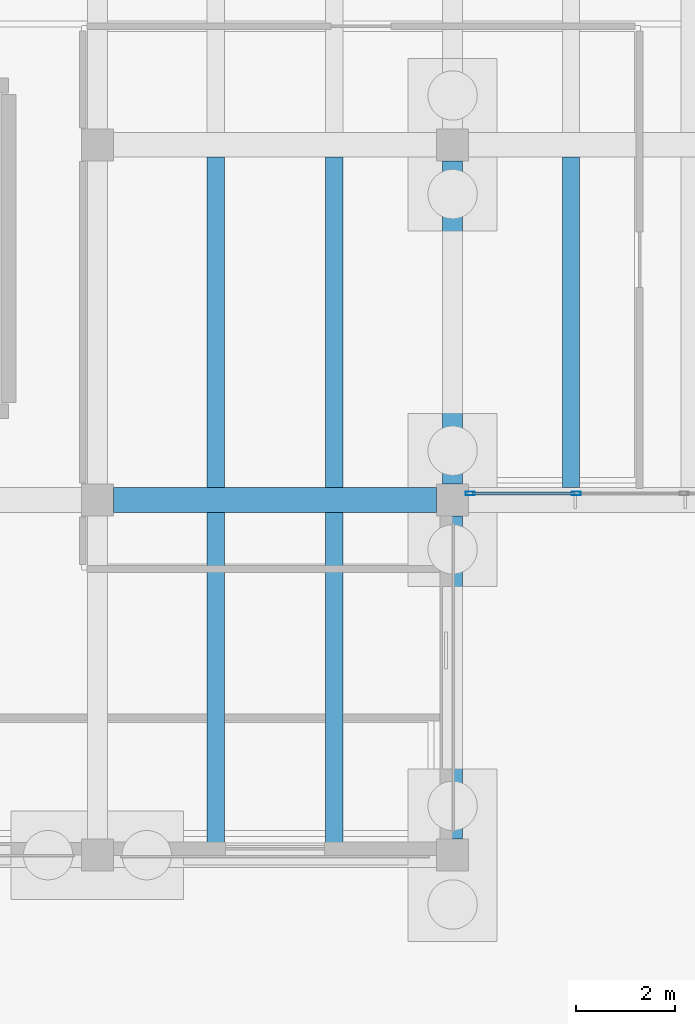
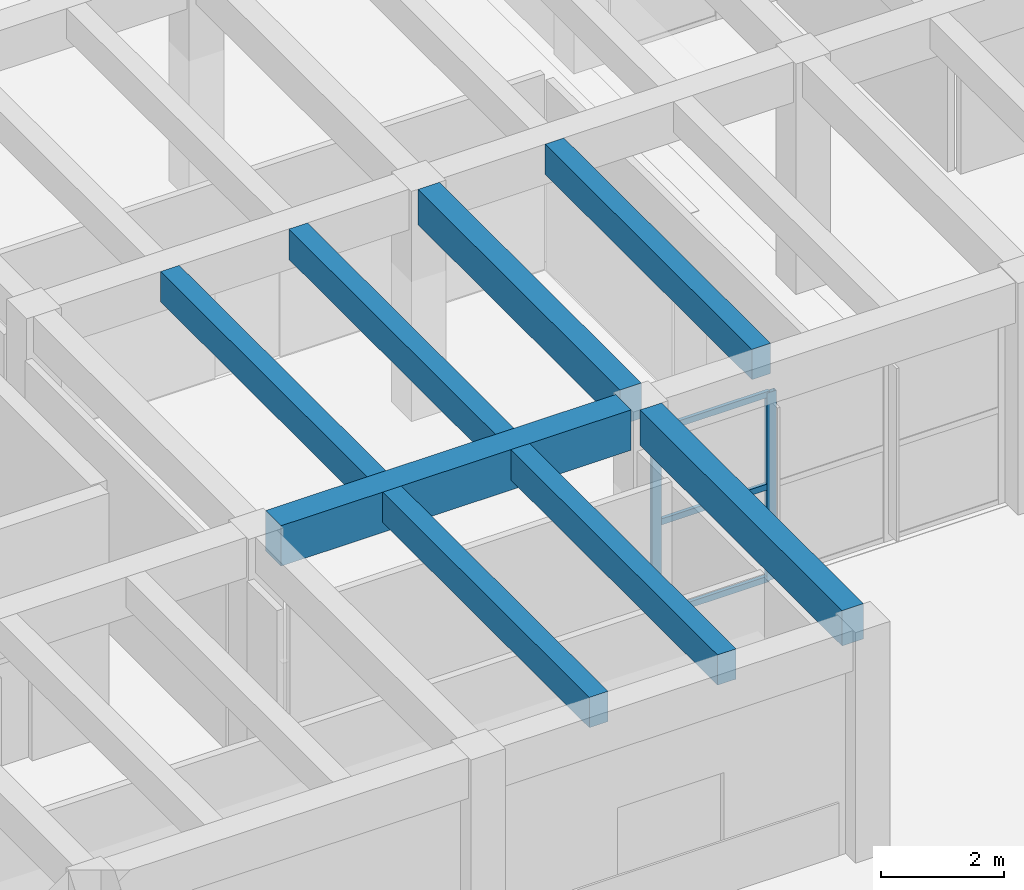
# One storey, part 67 of 155: 8 beams, 5 members, 1 element without a shape of its own.
"""IFC4 building model written with IfcOpenShell, lengths in metres."""

from ifc_helpers import new_model, si_unit, direction, frame, origin, origin_2d, place, context, subcontext, project, spatial, rectangle, hollow_rectangle, extrude, material, material_profile, profile_set, type_object, element, aggregate, save


model = new_model("IFC4")

# Units and contexts
model_context = context("Model", 3, precision=1e-05, world=origin(), true_north=direction((0.0, 1.0)))
body_context = subcontext(model_context, "Body", "Model", "MODEL_VIEW")
ifc_project = project(units=[si_unit("LENGTHUNIT", "METRE"), si_unit("AREAUNIT", "SQUARE_METRE"), si_unit("VOLUMEUNIT", "CUBIC_METRE"), si_unit("PLANEANGLEUNIT", "RADIAN"), si_unit("MASSUNIT", "GRAM", prefix="KILO")], contexts=[model_context])

# Site, building, storey
site_placement = place(None, origin())
site = spatial("IfcSite", under=ifc_project, at=site_placement, CompositionType="ELEMENT")
building_placement = place(site_placement, origin())
building = spatial("IfcBuilding", under=site, at=building_placement, Name="Bramvelor Terrace Health Centre", CompositionType="ELEMENT")
storey_placement = place(building_placement, origin())
storey = spatial("IfcBuildingStorey", under=building, at=storey_placement, Name="L01", CompositionType="ELEMENT", Elevation=0.0)

# Beams
ifc_material_1 = material(Name="Concrete C40/50", Category="concrete")
ifc_material_profile_1 = material_profile(ifc_material_1, rectangle(XDim=0.39990234375, YDim=0.699951171875, at=origin_2d()), Name="RC 400x700")
ifc_profile_set_1 = profile_set([ifc_material_profile_1], Name="Concrete C40/50")
beam_type_1 = type_object("IfcBeamType", Name="BM-RC-G700", PredefinedType="BEAM", material=ifc_profile_set_1)
beam_1_placement = place(storey_placement, frame((36.0, 79.52490234375, 4.2099609375), z_axis=(0.0, 1.0, 0.0), x_axis=(-1.0, 0.0, 0.0)))
element("IfcBeam", 1, at=beam_1_placement, inside=storey, type_object=beam_type_1, Name="L01 Floor Girder", PredefinedType="BEAM", context=body_context, shape_type="SweptSolid", body=[
    extrude(rectangle(XDim=0.39990234375, YDim=0.699951171875, at=origin_2d()), origin(), (0.0, 0.0, 1.0), 6.550048828125),
])
beam_2_placement = place(storey_placement, frame((36.0, 86.72509765625, 4.2099609375), z_axis=(0.0, 1.0, 0.0), x_axis=(-1.0, 0.0, 0.0)))
element("IfcBeam", 2, at=beam_2_placement, inside=storey, type_object=beam_type_1, Name="L01 Floor Girder", PredefinedType="BEAM", context=body_context, shape_type="SweptSolid", body=[
    extrude(rectangle(XDim=0.39990234375, YDim=0.699951171875, at=origin_2d()), origin(), (0.0, 0.0, 1.0), 6.5498046875),
])
ifc_material_2 = material(Name="Concrete C40/50", Category="concrete")
ifc_material_profile_2 = material_profile(ifc_material_2, rectangle(XDim=0.5, YDim=0.800048828125, at=origin_2d()), Name="RC 500x800")
ifc_profile_set_2 = profile_set([ifc_material_profile_2], Name="Concrete C40/50")
beam_type_2 = type_object("IfcBeamType", Name="BM-RC-G800", PredefinedType="BEAM", material=ifc_profile_set_2)
beam_3_placement = place(storey_placement, frame((29.125, 86.39990234375, 4.159912109375), z_axis=(1.0, 0.0, 0.0), x_axis=(0.0, 1.0, 0.0)))
element("IfcBeam", 3, at=beam_3_placement, inside=storey, type_object=beam_type_2, Name="L01 Floor Girder", PredefinedType="BEAM", context=body_context, shape_type="SweptSolid", body=[
    extrude(rectangle(XDim=0.5, YDim=0.800048828125, at=origin_2d()), origin(), (0.0, 0.0, 1.0), 6.550048828125),
])
ifc_material_3 = material(Name="Concrete C40/50", Category="concrete")
ifc_material_profile_3 = material_profile(ifc_material_3, rectangle(XDim=0.35009765625, YDim=0.60009765625, at=origin_2d()), Name="RC 350x600")
ifc_profile_set_3 = profile_set([ifc_material_profile_3], Name="Concrete C40/50")
beam_type_3 = type_object("IfcBeamType", Name="BM-RC-J600", PredefinedType="JOIST", material=ifc_profile_set_3)
for number, where, z_axis, x_axis, name in (
    (4, (31.199951171875, 79.449951171875, 4.260009765625), (0.0, 1.0, 0.0), (-1.0, 0.0, 0.0), "L01 Secondary Floor Joist"),
    (5, (33.60009765625, 79.449951171875, 4.260009765625), (0.0, 1.0, 0.0), (-1.0, 0.0, 0.0), "L01 Secondary Floor Joist"),
):
    element("IfcBeam", number, at=place(storey_placement, frame(where, z_axis=z_axis, x_axis=x_axis)), inside=storey, type_object=beam_type_3, Name=name, PredefinedType="JOIST", context=body_context, shape_type="SweptSolid", body=[
        extrude(rectangle(XDim=0.35009765625, YDim=0.60009765625, at=origin_2d()), origin(), (0.0, 0.0, 1.0), 6.699951171875),
    ])
for number, where, z_axis, x_axis, name in (
    (6, (31.199951171875, 86.64990234375, 4.260009765625), (0.0, 1.0, 0.0), (-1.0, 0.0, 0.0), "L01 Secondary Floor Joist"),
    (7, (33.60009765625, 86.64990234375, 4.260009765625), (0.0, 1.0, 0.0), (-1.0, 0.0, 0.0), "L01 Secondary Floor Joist"),
    (8, (38.39990234375, 86.64990234375, 4.260009765625), (0.0, 1.0, 0.0), (-1.0, 0.0, 0.0), "L01 Secondary Floor Joist"),
):
    element("IfcBeam", number, at=place(storey_placement, frame(where, z_axis=z_axis, x_axis=x_axis)), inside=storey, type_object=beam_type_3, Name=name, PredefinedType="JOIST", context=body_context, shape_type="SweptSolid", body=[
        extrude(rectangle(XDim=0.35009765625, YDim=0.60009765625, at=origin_2d()), origin(), (0.0, 0.0, 1.0), 6.7001953125),
    ])

# Curtain wall, members
ifc_material_4 = material(Name="Anodized aluminium and double low-E glass", Category="aluminium")
curtain_wall_type = type_object("IfcCurtainWallType", Name="CW-SYS-02", PredefinedType="NOTDEFINED", material=ifc_material_4)
curtain_wall_placement = place(storey_placement, origin())
curtain_wall = element("IfcCurtainWall", 9, at=curtain_wall_placement, inside=storey, type_object=curtain_wall_type, Name="L01 Unitized Curtain Wall 12", PredefinedType="NOTDEFINED")
ifc_material_5 = material(Name="Anodized aluminium 6063-T6", Category="aluminium")
ifc_material_profile_4 = material_profile(ifc_material_5, hollow_rectangle(XDim=0.074951171875, YDim=0.179931640625, WallThickness=0.00341796875, at=origin_2d()), Name="ALU-MUL 75x180x3.5")
ifc_profile_set_4 = profile_set([ifc_material_profile_4], Name="Anodized aluminium 6063-T6")
member_type_1 = type_object("IfcMemberType", Name="CW-MUL-65x180", PredefinedType="MULLION", material=ifc_profile_set_4)
member_1_placement = place(storey_placement, frame((38.506591796875, 86.530029296875, 0.0), z_axis=(0.0, 0.0, 1.0), x_axis=(0.0, -1.0, 0.0)))
member_1 = element("IfcMember", 10, at=member_1_placement, type_object=member_type_1, Name="CW-02 mullion 3", PredefinedType="MULLION", context=body_context, shape_type="SweptSolid", body=[
    extrude(hollow_rectangle(XDim=0.074951171875, YDim=0.179931640625, WallThickness=0.00341796875, at=origin_2d()), origin(), (0.0, 0.0, 1.0), 3.719970703125),
])
member_2_placement = place(storey_placement, frame((36.357421875, 86.530029296875, 0.0), z_axis=(0.0, 0.0, 1.0), x_axis=(0.0, -1.0, 0.0)))
member_2 = element("IfcMember", 11, at=member_2_placement, type_object=member_type_1, Name="CW-02 mullion 4", PredefinedType="MULLION", context=body_context, shape_type="SweptSolid", body=[
    extrude(hollow_rectangle(XDim=0.074951171875, YDim=0.179931640625, WallThickness=0.00341796875, at=origin_2d()), origin(), (0.0, 0.0, 1.0), 3.719970703125),
])
ifc_material_6 = material(Name="Anodized aluminium 6063-T6", Category="aluminium")
ifc_material_profile_5 = material_profile(ifc_material_6, hollow_rectangle(XDim=0.06494140625, YDim=0.1201171875, WallThickness=0.0029296875, at=origin_2d()), Name="ALU-TRN 65x120x3.0")
ifc_profile_set_5 = profile_set([ifc_material_profile_5], Name="Anodized aluminium 6063-T6")
member_type_2 = type_object("IfcMemberType", Name="CW-TRN-65x150", PredefinedType="USERDEFINED", material=ifc_profile_set_5)
member_3_placement = place(storey_placement, frame((38.46923828125, 86.530029296875, 0.032470703125), z_axis=(-1.0, 0.0, 0.0), x_axis=(0.0, -1.0, 0.0)))
member_3 = element("IfcMember", 12, at=member_3_placement, type_object=member_type_2, Name="CW-02 transom 3.1", ObjectType="TRANSOM", PredefinedType="USERDEFINED", context=body_context, shape_type="SweptSolid", body=[
    extrude(hollow_rectangle(XDim=0.06494140625, YDim=0.1201171875, WallThickness=0.0029296875, at=origin_2d()), origin(), (0.0, 0.0, 1.0), 2.07421875),
])
member_4_placement = place(storey_placement, frame((38.46923828125, 86.530029296875, 1.860107421875), z_axis=(-1.0, 0.0, 0.0), x_axis=(0.0, -1.0, 0.0)))
member_4 = element("IfcMember", 13, at=member_4_placement, type_object=member_type_2, Name="CW-02 transom 3.2", ObjectType="TRANSOM", PredefinedType="USERDEFINED", context=body_context, shape_type="SweptSolid", body=[
    extrude(hollow_rectangle(XDim=0.06494140625, YDim=0.1201171875, WallThickness=0.0029296875, at=origin_2d()), origin(), (0.0, 0.0, 1.0), 2.07421875),
])
member_5_placement = place(storey_placement, frame((38.46923828125, 86.530029296875, 3.6875), z_axis=(-1.0, 0.0, 0.0), x_axis=(0.0, -1.0, 0.0)))
member_5 = element("IfcMember", 14, at=member_5_placement, type_object=member_type_2, Name="CW-02 transom 3.3", ObjectType="TRANSOM", PredefinedType="USERDEFINED", context=body_context, shape_type="SweptSolid", body=[
    extrude(hollow_rectangle(XDim=0.06494140625, YDim=0.1201171875, WallThickness=0.0029296875, at=origin_2d()), origin(), (0.0, 0.0, 1.0), 2.07421875),
])
aggregate(curtain_wall, [member_1, member_2, member_3, member_4, member_5])

save(model, "model.ifc")
